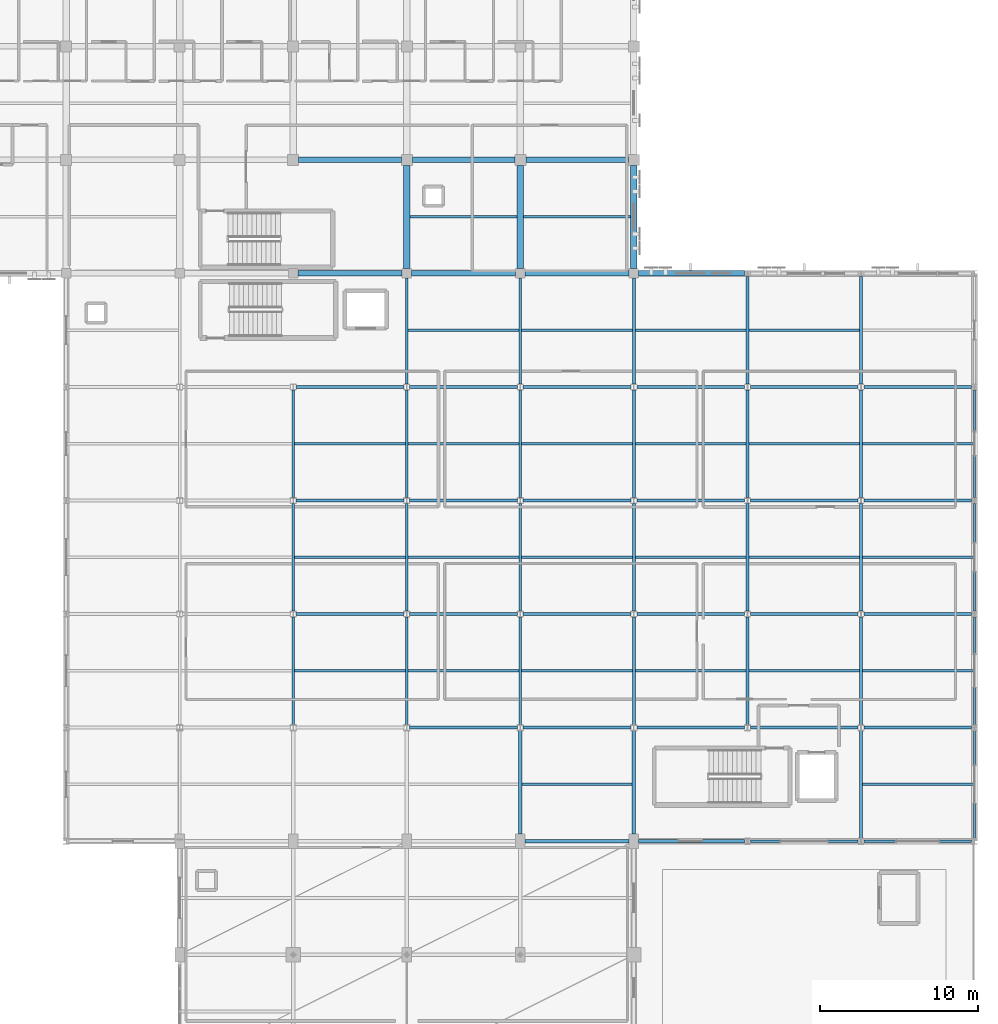
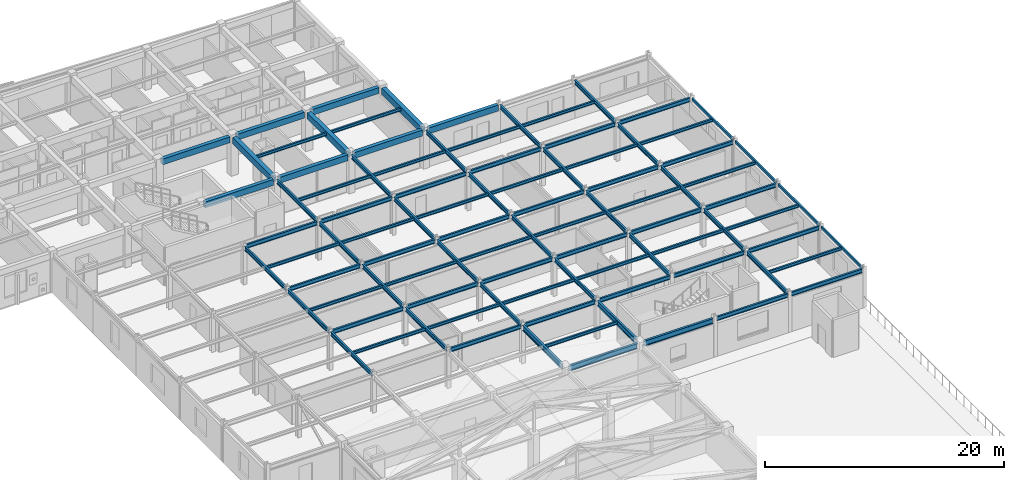
# One storey, part 58 of 113: 93 beams.
"""IFC4 building model written with IfcOpenShell, lengths in metres."""

from ifc_helpers import new_model, si_unit, direction, frame, origin, origin_2d, place, context, subcontext, project, spatial, rectangle, hollow_rectangle, i_section, extrude, material, material_profile, profile_set, type_object, element, save


model = new_model("IFC4")

# Units and contexts
model_context = context("Model", 3, precision=1e-05, world=origin(), true_north=direction((0.0, 1.0)))
body_context = subcontext(model_context, "Body", "Model", "MODEL_VIEW")
ifc_project = project(units=[si_unit("LENGTHUNIT", "METRE"), si_unit("AREAUNIT", "SQUARE_METRE"), si_unit("VOLUMEUNIT", "CUBIC_METRE"), si_unit("PLANEANGLEUNIT", "RADIAN"), si_unit("MASSUNIT", "GRAM", prefix="KILO")], contexts=[model_context])

# Site, building, storey
site_placement = place(None, origin())
site = spatial("IfcSite", under=ifc_project, at=site_placement, CompositionType="ELEMENT")
building_placement = place(site_placement, origin())
building = spatial("IfcBuilding", under=site, at=building_placement, Name="Carrowvane Square Congress Hotel", CompositionType="ELEMENT")
storey_placement = place(building_placement, frame((0.0, 0.0, 15.0)))
storey = spatial("IfcBuildingStorey", under=building, at=storey_placement, Name="L03", CompositionType="ELEMENT", Elevation=15.0)

# Beams
ifc_material_1 = material(Name="Concrete C35/45", Category="concrete")
ifc_material_profile_1 = material_profile(ifc_material_1, rectangle(XDim=0.35009765625, YDim=0.60009765625, at=origin_2d()), Name="RC 350x600")
ifc_profile_set_1 = profile_set([ifc_material_profile_1], Name="Concrete C35/45")
beam_type_1 = type_object("IfcBeamType", Name="BM-RC-350x600", PredefinedType="BEAM", material=ifc_profile_set_1)
for number, where, z_axis, x_axis, name in (
    (1, (141.5, 91.800048828125, 3.639892578125), (1.0, 0.0, 0.0), (0.0, 1.0, 0.0), "L04 girder N/19-20"),
    (2, (148.699951171875, 91.800048828125, 3.639892578125), (1.0, 0.0, 0.0), (0.0, 1.0, 0.0), "L04 girder N/20-21"),
    (3, (155.89990234375, 91.800048828125, 3.639892578125), (1.0, 0.0, 0.0), (0.0, 1.0, 0.0), "L04 girder N/21-22"),
):
    element("IfcBeam", number, at=place(storey_placement, frame(where, z_axis=z_axis, x_axis=x_axis)), inside=storey, type_object=beam_type_1, Name=name, PredefinedType="BEAM", context=body_context, shape_type="SweptSolid", body=[
        extrude(rectangle(XDim=0.35009765625, YDim=0.60009765625, at=origin_2d()), origin(), (0.0, 0.0, 1.0), 6.60009765625),
    ])
beam_1_placement = place(storey_placement, frame((163.10009765625, 91.800048828125, 3.639892578125), z_axis=(1.0, 0.0, 0.0), x_axis=(0.0, 1.0, 0.0)))
element("IfcBeam", 4, at=beam_1_placement, inside=storey, type_object=beam_type_1, Name="L04 girder N/22-23", PredefinedType="BEAM", context=body_context, shape_type="SweptSolid", body=[
    extrude(rectangle(XDim=0.35009765625, YDim=0.60009765625, at=origin_2d()), origin(), (0.0, 0.0, 1.0), 6.714599609375),
])
for number, where, z_axis, x_axis, name in (
    (5, (141.550048828125, 99.0, 3.639892578125), (1.0, 0.0, 0.0), (0.0, 1.0, 0.0), "L04 girder P/19-20"),
    (6, (148.75, 99.0, 3.639892578125), (1.0, 0.0, 0.0), (0.0, 1.0, 0.0), "L04 girder P/20-21"),
    (7, (155.949951171875, 99.0, 3.639892578125), (1.0, 0.0, 0.0), (0.0, 1.0, 0.0), "L04 girder P/21-22"),
):
    element("IfcBeam", number, at=place(storey_placement, frame(where, z_axis=z_axis, x_axis=x_axis)), inside=storey, type_object=beam_type_1, Name=name, PredefinedType="BEAM", context=body_context, shape_type="SweptSolid", body=[
        extrude(rectangle(XDim=0.35009765625, YDim=0.60009765625, at=origin_2d()), origin(), (0.0, 0.0, 1.0), 6.5),
    ])
ifc_material_2 = material(Name="Concrete C35/45", Category="concrete")
ifc_material_profile_2 = material_profile(ifc_material_2, rectangle(XDim=0.39990234375, YDim=0.64990234375, at=origin_2d()), Name="RC 400x650")
ifc_profile_set_2 = profile_set([ifc_material_profile_2], Name="Concrete C35/45")
beam_type_2 = type_object("IfcBeamType", Name="BM-RC-400x650", PredefinedType="BEAM", material=ifc_profile_set_2)
for number, where, z_axis, x_axis, name in (
    (8, (148.39990234375, 92.10009765625, 3.614990234375), (0.0, 1.0, 0.0), (-1.0, 0.0, 0.0), "L04 girder 20/N-P"),
    (9, (155.60009765625, 92.10009765625, 3.614990234375), (0.0, 1.0, 0.0), (-1.0, 0.0, 0.0), "L04 girder 21/N-P"),
    (10, (162.800048828125, 92.10009765625, 3.614990234375), (0.0, 1.0, 0.0), (-1.0, 0.0, 0.0), "L04 girder 22/N-P"),
):
    element("IfcBeam", number, at=place(storey_placement, frame(where, z_axis=z_axis, x_axis=x_axis)), inside=storey, type_object=beam_type_2, Name=name, PredefinedType="BEAM", context=body_context, shape_type="SweptSolid", body=[
        extrude(rectangle(XDim=0.39990234375, YDim=0.64990234375, at=origin_2d()), origin(), (0.0, 0.0, 1.0), 6.5498046875),
    ])
ifc_material_3 = material(Name="Steel S355", Category="steel")
ifc_material_profile_3 = material_profile(ifc_material_3, hollow_rectangle(XDim=0.14990234375, YDim=0.25, WallThickness=0.012451171875, at=origin_2d()), Name="RHS 250x150x12.5")
ifc_profile_set_3 = profile_set([ifc_material_profile_3], Name="Steel S355")
beam_type_3 = type_object("IfcBeamType", Name="BM-ST-RHS250", PredefinedType="SPANDREL", material=ifc_profile_set_3)
for number, where, z_axis, x_axis, name in (
    (11, (184.39990234375, 55.98095703125, 3.81494140625), (0.0, 1.0, 0.0), (-1.0, 0.0, 0.0), "L04 girder 25/H-J"),
    (12, (184.39990234375, 63.180908203125, 3.81494140625), (0.0, 1.0, 0.0), (-1.0, 0.0, 0.0), "L04 girder 25/J-K"),
):
    element("IfcBeam", number, at=place(storey_placement, frame(where, z_axis=z_axis, x_axis=x_axis)), inside=storey, type_object=beam_type_3, Name=name, PredefinedType="SPANDREL", context=body_context, shape_type="SweptSolid", body=[
        extrude(hollow_rectangle(XDim=0.14990234375, YDim=0.25, WallThickness=0.012451171875, at=origin_2d()), origin(), (0.0, 0.0, 1.0), 6.838134765625),
    ])
for number, where, z_axis, x_axis, name in (
    (13, (184.39990234375, 70.381103515625, 3.81494140625), (0.0, 1.0, 0.0), (-1.0, 0.0, 0.0), "L04 girder 25/K-L"),
    (14, (184.39990234375, 77.5810546875, 3.81494140625), (0.0, 1.0, 0.0), (-1.0, 0.0, 0.0), "L04 girder 25/L-M"),
):
    element("IfcBeam", number, at=place(storey_placement, frame(where, z_axis=z_axis, x_axis=x_axis)), inside=storey, type_object=beam_type_3, Name=name, PredefinedType="SPANDREL", context=body_context, shape_type="SweptSolid", body=[
        extrude(hollow_rectangle(XDim=0.14990234375, YDim=0.25, WallThickness=0.012451171875, at=origin_2d()), origin(), (0.0, 0.0, 1.0), 6.837890625),
    ])
ifc_material_4 = material(Name="Steel S355", Category="steel")
ifc_material_profile_4 = material_profile(ifc_material_4, i_section(OverallWidth=0.165771484375, OverallDepth=0.306640625, WebThickness=0.006591796875, FlangeThickness=0.01171875, FilletRadius=0.0087890625, at=origin_2d()), Name="UKB 305x165x46")
ifc_profile_set_4 = profile_set([ifc_material_profile_4], Name="Steel S355")
beam_type_4 = type_object("IfcBeamType", Name="BM-ST-UKB305", PredefinedType="JOIST", material=ifc_profile_set_4)
for number, where, z_axis, x_axis, name in (
    (15, (141.289306640625, 66.60009765625, 3.78662109375), (1.0, 0.0, 0.0), (0.0, 1.0, 0.0), "L04 secondary joist 19-20"),
    (16, (141.289306640625, 73.800048828125, 3.78662109375), (1.0, 0.0, 0.0), (0.0, 1.0, 0.0), "L04 secondary joist 19-20"),
    (17, (141.289306640625, 81.0, 3.78662109375), (1.0, 0.0, 0.0), (0.0, 1.0, 0.0), "L04 secondary joist 19-20"),
):
    element("IfcBeam", number, at=place(storey_placement, frame(where, z_axis=z_axis, x_axis=x_axis)), inside=storey, type_object=beam_type_4, Name=name, PredefinedType="JOIST", context=body_context, shape_type="SweptSolid", body=[
        extrude(i_section(OverallWidth=0.165771484375, OverallDepth=0.306640625, WebThickness=0.006591796875, FlangeThickness=0.01171875, FilletRadius=0.0087890625, at=origin_2d()), origin(), (0.0, 0.0, 1.0), 7.021240234375),
    ])
for number, where, z_axis, x_axis, name in (
    (18, (148.489501953125, 66.60009765625, 3.78662109375), (1.0, 0.0, 0.0), (0.0, 1.0, 0.0), "L04 secondary joist 20-21"),
    (19, (148.489501953125, 73.800048828125, 3.78662109375), (1.0, 0.0, 0.0), (0.0, 1.0, 0.0), "L04 secondary joist 20-21"),
    (20, (148.489501953125, 81.0, 3.78662109375), (1.0, 0.0, 0.0), (0.0, 1.0, 0.0), "L04 secondary joist 20-21"),
    (21, (148.489501953125, 88.199951171875, 3.78662109375), (1.0, 0.0, 0.0), (0.0, 1.0, 0.0), "L04 secondary joist 20-21"),
):
    element("IfcBeam", number, at=place(storey_placement, frame(where, z_axis=z_axis, x_axis=x_axis)), inside=storey, type_object=beam_type_4, Name=name, PredefinedType="JOIST", context=body_context, shape_type="SweptSolid", body=[
        extrude(i_section(OverallWidth=0.165771484375, OverallDepth=0.306640625, WebThickness=0.006591796875, FlangeThickness=0.01171875, FilletRadius=0.0087890625, at=origin_2d()), origin(), (0.0, 0.0, 1.0), 7.02099609375),
    ])
beam_2_placement = place(storey_placement, frame((148.60009765625, 95.39990234375, 3.78662109375), z_axis=(1.0, 0.0, 0.0), x_axis=(0.0, 1.0, 0.0)))
element("IfcBeam", 22, at=beam_2_placement, inside=storey, type_object=beam_type_4, Name="L04 secondary joist 20-21", PredefinedType="JOIST", context=body_context, shape_type="SweptSolid", body=[
    extrude(i_section(OverallWidth=0.165771484375, OverallDepth=0.306640625, WebThickness=0.006591796875, FlangeThickness=0.01171875, FilletRadius=0.0087890625, at=origin_2d()), origin(), (0.0, 0.0, 1.0), 6.7998046875),
])
beam_3_placement = place(storey_placement, frame((155.705078125, 59.39990234375, 3.78662109375), z_axis=(1.0, 0.0, 0.0), x_axis=(0.0, 1.0, 0.0)))
element("IfcBeam", 23, at=beam_3_placement, inside=storey, type_object=beam_type_4, Name="L04 secondary joist 21-22", PredefinedType="JOIST", context=body_context, shape_type="SweptSolid", body=[
    extrude(i_section(OverallWidth=0.165771484375, OverallDepth=0.306640625, WebThickness=0.006591796875, FlangeThickness=0.01171875, FilletRadius=0.0087890625, at=origin_2d()), origin(), (0.0, 0.0, 1.0), 6.989990234375),
])
for number, where, z_axis, x_axis, name in (
    (24, (155.689453125, 66.60009765625, 3.78662109375), (1.0, 0.0, 0.0), (0.0, 1.0, 0.0), "L04 secondary joist 21-22"),
    (25, (155.689453125, 73.800048828125, 3.78662109375), (1.0, 0.0, 0.0), (0.0, 1.0, 0.0), "L04 secondary joist 21-22"),
    (26, (155.689453125, 81.0, 3.78662109375), (1.0, 0.0, 0.0), (0.0, 1.0, 0.0), "L04 secondary joist 21-22"),
    (27, (155.689453125, 88.199951171875, 3.78662109375), (1.0, 0.0, 0.0), (0.0, 1.0, 0.0), "L04 secondary joist 21-22"),
):
    element("IfcBeam", number, at=place(storey_placement, frame(where, z_axis=z_axis, x_axis=x_axis)), inside=storey, type_object=beam_type_4, Name=name, PredefinedType="JOIST", context=body_context, shape_type="SweptSolid", body=[
        extrude(i_section(OverallWidth=0.165771484375, OverallDepth=0.306640625, WebThickness=0.006591796875, FlangeThickness=0.01171875, FilletRadius=0.0087890625, at=origin_2d()), origin(), (0.0, 0.0, 1.0), 7.021240234375),
    ])
beam_4_placement = place(storey_placement, frame((155.800048828125, 95.39990234375, 3.78662109375), z_axis=(1.0, 0.0, 0.0), x_axis=(0.0, 1.0, 0.0)))
element("IfcBeam", 28, at=beam_4_placement, inside=storey, type_object=beam_type_4, Name="L04 secondary joist 21-22", PredefinedType="JOIST", context=body_context, shape_type="SweptSolid", body=[
    extrude(i_section(OverallWidth=0.165771484375, OverallDepth=0.306640625, WebThickness=0.006591796875, FlangeThickness=0.01171875, FilletRadius=0.0087890625, at=origin_2d()), origin(), (0.0, 0.0, 1.0), 6.800048828125),
])
for number, where, z_axis, x_axis, name in (
    (29, (162.889404296875, 66.60009765625, 3.78662109375), (1.0, 0.0, 0.0), (0.0, 1.0, 0.0), "L04 secondary joist 22-23"),
    (30, (162.889404296875, 73.800048828125, 3.78662109375), (1.0, 0.0, 0.0), (0.0, 1.0, 0.0), "L04 secondary joist 22-23"),
    (31, (162.889404296875, 81.0, 3.78662109375), (1.0, 0.0, 0.0), (0.0, 1.0, 0.0), "L04 secondary joist 22-23"),
    (32, (162.889404296875, 88.199951171875, 3.78662109375), (1.0, 0.0, 0.0), (0.0, 1.0, 0.0), "L04 secondary joist 22-23"),
    (33, (170.08935546875, 66.60009765625, 3.78662109375), (1.0, 0.0, 0.0), (0.0, 1.0, 0.0), "L04 secondary joist 23-24"),
    (34, (170.08935546875, 73.800048828125, 3.78662109375), (1.0, 0.0, 0.0), (0.0, 1.0, 0.0), "L04 secondary joist 23-24"),
    (35, (170.08935546875, 81.0, 3.78662109375), (1.0, 0.0, 0.0), (0.0, 1.0, 0.0), "L04 secondary joist 23-24"),
    (36, (170.08935546875, 88.199951171875, 3.78662109375), (1.0, 0.0, 0.0), (0.0, 1.0, 0.0), "L04 secondary joist 23-24"),
):
    element("IfcBeam", number, at=place(storey_placement, frame(where, z_axis=z_axis, x_axis=x_axis)), inside=storey, type_object=beam_type_4, Name=name, PredefinedType="JOIST", context=body_context, shape_type="SweptSolid", body=[
        extrude(i_section(OverallWidth=0.165771484375, OverallDepth=0.306640625, WebThickness=0.006591796875, FlangeThickness=0.01171875, FilletRadius=0.0087890625, at=origin_2d()), origin(), (0.0, 0.0, 1.0), 7.021240234375),
    ])
for number, where, z_axis, x_axis, name in (
    (37, (177.289306640625, 59.39990234375, 3.78662109375), (1.0, 0.0, 0.0), (0.0, 1.0, 0.0), "L04 secondary joist 24-25"),
    (38, (177.289306640625, 66.60009765625, 3.78662109375), (1.0, 0.0, 0.0), (0.0, 1.0, 0.0), "L04 secondary joist 24-25"),
    (39, (177.289306640625, 73.800048828125, 3.78662109375), (1.0, 0.0, 0.0), (0.0, 1.0, 0.0), "L04 secondary joist 24-25"),
    (40, (177.289306640625, 81.0, 3.78662109375), (1.0, 0.0, 0.0), (0.0, 1.0, 0.0), "L04 secondary joist 24-25"),
):
    element("IfcBeam", number, at=place(storey_placement, frame(where, z_axis=z_axis, x_axis=x_axis)), inside=storey, type_object=beam_type_4, Name=name, PredefinedType="JOIST", context=body_context, shape_type="SweptSolid", body=[
        extrude(i_section(OverallWidth=0.165771484375, OverallDepth=0.306640625, WebThickness=0.006591796875, FlangeThickness=0.01171875, FilletRadius=0.0087890625, at=origin_2d()), origin(), (0.0, 0.0, 1.0), 7.03564453125),
    ])
ifc_material_5 = material(Name="Steel S355", Category="steel")
ifc_material_profile_5 = material_profile(ifc_material_5, i_section(OverallWidth=0.1787109375, OverallDepth=0.409423828125, WebThickness=0.0087890625, FlangeThickness=0.014404296875, FilletRadius=0.01025390625, at=origin_2d()), Name="UKB 406x178x67")
ifc_profile_set_5 = profile_set([ifc_material_profile_5], Name="Steel S355")
beam_type_5 = type_object("IfcBeamType", Name="BM-ST-UKB406", PredefinedType="BEAM", material=ifc_profile_set_5)
beam_5_placement = place(storey_placement, frame((170.185302734375, 55.800048828125, 3.7353515625), z_axis=(1.0, 0.0, 0.0), x_axis=(0.0, 1.0, 0.0)))
element("IfcBeam", 41, at=beam_5_placement, inside=storey, type_object=beam_type_5, Name="L04 girder H/23-24", PredefinedType="BEAM", context=body_context, shape_type="SweptSolid", body=[
    extrude(i_section(OverallWidth=0.1787109375, OverallDepth=0.409423828125, WebThickness=0.0087890625, FlangeThickness=0.014404296875, FilletRadius=0.01025390625, at=origin_2d()), origin(), (0.0, 0.0, 1.0), 6.829345703125),
])
for number, where, z_axis, x_axis, name in (
    (42, (177.38525390625, 55.800048828125, 3.7353515625), (1.0, 0.0, 0.0), (0.0, 1.0, 0.0), "L04 girder H/24-25"),
    (43, (148.585205078125, 63.0, 3.7353515625), (1.0, 0.0, 0.0), (0.0, 1.0, 0.0), "L04 girder J/20-21"),
    (44, (155.78515625, 63.0, 3.7353515625), (1.0, 0.0, 0.0), (0.0, 1.0, 0.0), "L04 girder J/21-22"),
):
    element("IfcBeam", number, at=place(storey_placement, frame(where, z_axis=z_axis, x_axis=x_axis)), inside=storey, type_object=beam_type_5, Name=name, PredefinedType="BEAM", context=body_context, shape_type="SweptSolid", body=[
        extrude(i_section(OverallWidth=0.1787109375, OverallDepth=0.409423828125, WebThickness=0.0087890625, FlangeThickness=0.014404296875, FilletRadius=0.01025390625, at=origin_2d()), origin(), (0.0, 0.0, 1.0), 6.82958984375),
    ])
for number, where, z_axis, x_axis, name in (
    (45, (162.9853515625, 63.0, 3.7353515625), (1.0, 0.0, 0.0), (0.0, 1.0, 0.0), "L04 girder J/22-23"),
    (46, (170.185302734375, 63.0, 3.7353515625), (1.0, 0.0, 0.0), (0.0, 1.0, 0.0), "L04 girder J/23-24"),
):
    element("IfcBeam", number, at=place(storey_placement, frame(where, z_axis=z_axis, x_axis=x_axis)), inside=storey, type_object=beam_type_5, Name=name, PredefinedType="BEAM", context=body_context, shape_type="SweptSolid", body=[
        extrude(i_section(OverallWidth=0.1787109375, OverallDepth=0.409423828125, WebThickness=0.0087890625, FlangeThickness=0.014404296875, FilletRadius=0.01025390625, at=origin_2d()), origin(), (0.0, 0.0, 1.0), 6.829345703125),
    ])
for number, where, z_axis, x_axis, name in (
    (47, (177.38525390625, 63.0, 3.7353515625), (1.0, 0.0, 0.0), (0.0, 1.0, 0.0), "L04 girder J/24-25"),
    (48, (141.38525390625, 70.199951171875, 3.7353515625), (1.0, 0.0, 0.0), (0.0, 1.0, 0.0), "L04 girder K/19-20"),
    (49, (148.585205078125, 70.199951171875, 3.7353515625), (1.0, 0.0, 0.0), (0.0, 1.0, 0.0), "L04 girder K/20-21"),
    (50, (155.78515625, 70.199951171875, 3.7353515625), (1.0, 0.0, 0.0), (0.0, 1.0, 0.0), "L04 girder K/21-22"),
):
    element("IfcBeam", number, at=place(storey_placement, frame(where, z_axis=z_axis, x_axis=x_axis)), inside=storey, type_object=beam_type_5, Name=name, PredefinedType="BEAM", context=body_context, shape_type="SweptSolid", body=[
        extrude(i_section(OverallWidth=0.1787109375, OverallDepth=0.409423828125, WebThickness=0.0087890625, FlangeThickness=0.014404296875, FilletRadius=0.01025390625, at=origin_2d()), origin(), (0.0, 0.0, 1.0), 6.82958984375),
    ])
for number, where, z_axis, x_axis, name in (
    (51, (162.9853515625, 70.199951171875, 3.7353515625), (1.0, 0.0, 0.0), (0.0, 1.0, 0.0), "L04 girder K/22-23"),
    (52, (170.185302734375, 70.199951171875, 3.7353515625), (1.0, 0.0, 0.0), (0.0, 1.0, 0.0), "L04 girder K/23-24"),
):
    element("IfcBeam", number, at=place(storey_placement, frame(where, z_axis=z_axis, x_axis=x_axis)), inside=storey, type_object=beam_type_5, Name=name, PredefinedType="BEAM", context=body_context, shape_type="SweptSolid", body=[
        extrude(i_section(OverallWidth=0.1787109375, OverallDepth=0.409423828125, WebThickness=0.0087890625, FlangeThickness=0.014404296875, FilletRadius=0.01025390625, at=origin_2d()), origin(), (0.0, 0.0, 1.0), 6.829345703125),
    ])
for number, where, z_axis, x_axis, name in (
    (53, (177.38525390625, 70.199951171875, 3.7353515625), (1.0, 0.0, 0.0), (0.0, 1.0, 0.0), "L04 girder K/24-25"),
    (54, (141.38525390625, 77.39990234375, 3.7353515625), (1.0, 0.0, 0.0), (0.0, 1.0, 0.0), "L04 girder L/19-20"),
    (55, (148.585205078125, 77.39990234375, 3.7353515625), (1.0, 0.0, 0.0), (0.0, 1.0, 0.0), "L04 girder L/20-21"),
    (56, (155.78515625, 77.39990234375, 3.7353515625), (1.0, 0.0, 0.0), (0.0, 1.0, 0.0), "L04 girder L/21-22"),
):
    element("IfcBeam", number, at=place(storey_placement, frame(where, z_axis=z_axis, x_axis=x_axis)), inside=storey, type_object=beam_type_5, Name=name, PredefinedType="BEAM", context=body_context, shape_type="SweptSolid", body=[
        extrude(i_section(OverallWidth=0.1787109375, OverallDepth=0.409423828125, WebThickness=0.0087890625, FlangeThickness=0.014404296875, FilletRadius=0.01025390625, at=origin_2d()), origin(), (0.0, 0.0, 1.0), 6.82958984375),
    ])
for number, where, z_axis, x_axis, name in (
    (57, (162.9853515625, 77.39990234375, 3.7353515625), (1.0, 0.0, 0.0), (0.0, 1.0, 0.0), "L04 girder L/22-23"),
    (58, (170.185302734375, 77.39990234375, 3.7353515625), (1.0, 0.0, 0.0), (0.0, 1.0, 0.0), "L04 girder L/23-24"),
):
    element("IfcBeam", number, at=place(storey_placement, frame(where, z_axis=z_axis, x_axis=x_axis)), inside=storey, type_object=beam_type_5, Name=name, PredefinedType="BEAM", context=body_context, shape_type="SweptSolid", body=[
        extrude(i_section(OverallWidth=0.1787109375, OverallDepth=0.409423828125, WebThickness=0.0087890625, FlangeThickness=0.014404296875, FilletRadius=0.01025390625, at=origin_2d()), origin(), (0.0, 0.0, 1.0), 6.829345703125),
    ])
for number, where, z_axis, x_axis, name in (
    (59, (177.38525390625, 77.39990234375, 3.7353515625), (1.0, 0.0, 0.0), (0.0, 1.0, 0.0), "L04 girder L/24-25"),
    (60, (141.38525390625, 84.60009765625, 3.7353515625), (1.0, 0.0, 0.0), (0.0, 1.0, 0.0), "L04 girder M/19-20"),
    (61, (148.585205078125, 84.60009765625, 3.7353515625), (1.0, 0.0, 0.0), (0.0, 1.0, 0.0), "L04 girder M/20-21"),
    (62, (155.78515625, 84.60009765625, 3.7353515625), (1.0, 0.0, 0.0), (0.0, 1.0, 0.0), "L04 girder M/21-22"),
):
    element("IfcBeam", number, at=place(storey_placement, frame(where, z_axis=z_axis, x_axis=x_axis)), inside=storey, type_object=beam_type_5, Name=name, PredefinedType="BEAM", context=body_context, shape_type="SweptSolid", body=[
        extrude(i_section(OverallWidth=0.1787109375, OverallDepth=0.409423828125, WebThickness=0.0087890625, FlangeThickness=0.014404296875, FilletRadius=0.01025390625, at=origin_2d()), origin(), (0.0, 0.0, 1.0), 6.82958984375),
    ])
for number, where, z_axis, x_axis, name in (
    (63, (162.9853515625, 84.60009765625, 3.7353515625), (1.0, 0.0, 0.0), (0.0, 1.0, 0.0), "L04 girder M/22-23"),
    (64, (170.185302734375, 84.60009765625, 3.7353515625), (1.0, 0.0, 0.0), (0.0, 1.0, 0.0), "L04 girder M/23-24"),
):
    element("IfcBeam", number, at=place(storey_placement, frame(where, z_axis=z_axis, x_axis=x_axis)), inside=storey, type_object=beam_type_5, Name=name, PredefinedType="BEAM", context=body_context, shape_type="SweptSolid", body=[
        extrude(i_section(OverallWidth=0.1787109375, OverallDepth=0.409423828125, WebThickness=0.0087890625, FlangeThickness=0.014404296875, FilletRadius=0.01025390625, at=origin_2d()), origin(), (0.0, 0.0, 1.0), 6.829345703125),
    ])
beam_6_placement = place(storey_placement, frame((177.38525390625, 84.60009765625, 3.7353515625), z_axis=(1.0, 0.0, 0.0), x_axis=(0.0, 1.0, 0.0)))
element("IfcBeam", 65, at=beam_6_placement, inside=storey, type_object=beam_type_5, Name="L04 girder M/24-25", PredefinedType="BEAM", context=body_context, shape_type="SweptSolid", body=[
    extrude(i_section(OverallWidth=0.1787109375, OverallDepth=0.409423828125, WebThickness=0.0087890625, FlangeThickness=0.014404296875, FilletRadius=0.01025390625, at=origin_2d()), origin(), (0.0, 0.0, 1.0), 6.82958984375),
])
beam_7_placement = place(storey_placement, frame((141.199951171875, 63.180908203125, 3.7353515625), z_axis=(0.0, 1.0, 0.0), x_axis=(-1.0, 0.0, 0.0)))
element("IfcBeam", 66, at=beam_7_placement, inside=storey, type_object=beam_type_5, Name="L04 girder 19/J-K", PredefinedType="BEAM", context=body_context, shape_type="SweptSolid", body=[
    extrude(i_section(OverallWidth=0.1787109375, OverallDepth=0.409423828125, WebThickness=0.0087890625, FlangeThickness=0.014404296875, FilletRadius=0.01025390625, at=origin_2d()), origin(), (0.0, 0.0, 1.0), 6.838134765625),
])
for number, where, z_axis, x_axis, name in (
    (67, (141.199951171875, 70.381103515625, 3.7353515625), (0.0, 1.0, 0.0), (-1.0, 0.0, 0.0), "L04 girder 19/K-L"),
    (68, (141.199951171875, 77.5810546875, 3.7353515625), (0.0, 1.0, 0.0), (-1.0, 0.0, 0.0), "L04 girder 19/L-M"),
):
    element("IfcBeam", number, at=place(storey_placement, frame(where, z_axis=z_axis, x_axis=x_axis)), inside=storey, type_object=beam_type_5, Name=name, PredefinedType="BEAM", context=body_context, shape_type="SweptSolid", body=[
        extrude(i_section(OverallWidth=0.1787109375, OverallDepth=0.409423828125, WebThickness=0.0087890625, FlangeThickness=0.014404296875, FilletRadius=0.01025390625, at=origin_2d()), origin(), (0.0, 0.0, 1.0), 6.837890625),
    ])
beam_8_placement = place(storey_placement, frame((148.39990234375, 63.180908203125, 3.7353515625), z_axis=(0.0, 1.0, 0.0), x_axis=(-1.0, 0.0, 0.0)))
element("IfcBeam", 69, at=beam_8_placement, inside=storey, type_object=beam_type_5, Name="L04 girder 20/J-K", PredefinedType="BEAM", context=body_context, shape_type="SweptSolid", body=[
    extrude(i_section(OverallWidth=0.1787109375, OverallDepth=0.409423828125, WebThickness=0.0087890625, FlangeThickness=0.014404296875, FilletRadius=0.01025390625, at=origin_2d()), origin(), (0.0, 0.0, 1.0), 6.838134765625),
])
for number, where, z_axis, x_axis, name in (
    (70, (148.39990234375, 70.381103515625, 3.7353515625), (0.0, 1.0, 0.0), (-1.0, 0.0, 0.0), "L04 girder 20/K-L"),
    (71, (148.39990234375, 77.5810546875, 3.7353515625), (0.0, 1.0, 0.0), (-1.0, 0.0, 0.0), "L04 girder 20/L-M"),
):
    element("IfcBeam", number, at=place(storey_placement, frame(where, z_axis=z_axis, x_axis=x_axis)), inside=storey, type_object=beam_type_5, Name=name, PredefinedType="BEAM", context=body_context, shape_type="SweptSolid", body=[
        extrude(i_section(OverallWidth=0.1787109375, OverallDepth=0.409423828125, WebThickness=0.0087890625, FlangeThickness=0.014404296875, FilletRadius=0.01025390625, at=origin_2d()), origin(), (0.0, 0.0, 1.0), 6.837890625),
    ])
beam_9_placement = place(storey_placement, frame((148.39990234375, 84.781005859375, 3.7353515625), z_axis=(0.0, 1.0, 0.0), x_axis=(-1.0, 0.0, 0.0)))
element("IfcBeam", 72, at=beam_9_placement, inside=storey, type_object=beam_type_5, Name="L04 girder 20/M-N", PredefinedType="BEAM", context=body_context, shape_type="SweptSolid", body=[
    extrude(i_section(OverallWidth=0.1787109375, OverallDepth=0.409423828125, WebThickness=0.0087890625, FlangeThickness=0.014404296875, FilletRadius=0.01025390625, at=origin_2d()), origin(), (0.0, 0.0, 1.0), 6.718994140625),
])
beam_10_placement = place(storey_placement, frame((155.60009765625, 63.180908203125, 3.7353515625), z_axis=(0.0, 1.0, 0.0), x_axis=(-1.0, 0.0, 0.0)))
element("IfcBeam", 73, at=beam_10_placement, inside=storey, type_object=beam_type_5, Name="L04 girder 21/J-K", PredefinedType="BEAM", context=body_context, shape_type="SweptSolid", body=[
    extrude(i_section(OverallWidth=0.1787109375, OverallDepth=0.409423828125, WebThickness=0.0087890625, FlangeThickness=0.014404296875, FilletRadius=0.01025390625, at=origin_2d()), origin(), (0.0, 0.0, 1.0), 6.838134765625),
])
for number, where, z_axis, x_axis, name in (
    (74, (155.60009765625, 70.381103515625, 3.7353515625), (0.0, 1.0, 0.0), (-1.0, 0.0, 0.0), "L04 girder 21/K-L"),
    (75, (155.60009765625, 77.5810546875, 3.7353515625), (0.0, 1.0, 0.0), (-1.0, 0.0, 0.0), "L04 girder 21/L-M"),
):
    element("IfcBeam", number, at=place(storey_placement, frame(where, z_axis=z_axis, x_axis=x_axis)), inside=storey, type_object=beam_type_5, Name=name, PredefinedType="BEAM", context=body_context, shape_type="SweptSolid", body=[
        extrude(i_section(OverallWidth=0.1787109375, OverallDepth=0.409423828125, WebThickness=0.0087890625, FlangeThickness=0.014404296875, FilletRadius=0.01025390625, at=origin_2d()), origin(), (0.0, 0.0, 1.0), 6.837890625),
    ])
beam_11_placement = place(storey_placement, frame((155.60009765625, 84.781005859375, 3.7353515625), z_axis=(0.0, 1.0, 0.0), x_axis=(-1.0, 0.0, 0.0)))
element("IfcBeam", 76, at=beam_11_placement, inside=storey, type_object=beam_type_5, Name="L04 girder 21/M-N", PredefinedType="BEAM", context=body_context, shape_type="SweptSolid", body=[
    extrude(i_section(OverallWidth=0.1787109375, OverallDepth=0.409423828125, WebThickness=0.0087890625, FlangeThickness=0.014404296875, FilletRadius=0.01025390625, at=origin_2d()), origin(), (0.0, 0.0, 1.0), 6.718994140625),
])
beam_12_placement = place(storey_placement, frame((162.800048828125, 63.180908203125, 3.7353515625), z_axis=(0.0, 1.0, 0.0), x_axis=(-1.0, 0.0, 0.0)))
element("IfcBeam", 77, at=beam_12_placement, inside=storey, type_object=beam_type_5, Name="L04 girder 22/J-K", PredefinedType="BEAM", context=body_context, shape_type="SweptSolid", body=[
    extrude(i_section(OverallWidth=0.1787109375, OverallDepth=0.409423828125, WebThickness=0.0087890625, FlangeThickness=0.014404296875, FilletRadius=0.01025390625, at=origin_2d()), origin(), (0.0, 0.0, 1.0), 6.838134765625),
])
for number, where, z_axis, x_axis, name in (
    (78, (162.800048828125, 70.381103515625, 3.7353515625), (0.0, 1.0, 0.0), (-1.0, 0.0, 0.0), "L04 girder 22/K-L"),
    (79, (162.800048828125, 77.5810546875, 3.7353515625), (0.0, 1.0, 0.0), (-1.0, 0.0, 0.0), "L04 girder 22/L-M"),
):
    element("IfcBeam", number, at=place(storey_placement, frame(where, z_axis=z_axis, x_axis=x_axis)), inside=storey, type_object=beam_type_5, Name=name, PredefinedType="BEAM", context=body_context, shape_type="SweptSolid", body=[
        extrude(i_section(OverallWidth=0.1787109375, OverallDepth=0.409423828125, WebThickness=0.0087890625, FlangeThickness=0.014404296875, FilletRadius=0.01025390625, at=origin_2d()), origin(), (0.0, 0.0, 1.0), 6.837890625),
    ])
beam_13_placement = place(storey_placement, frame((162.800048828125, 84.781005859375, 3.7353515625), z_axis=(0.0, 1.0, 0.0), x_axis=(-1.0, 0.0, 0.0)))
element("IfcBeam", 80, at=beam_13_placement, inside=storey, type_object=beam_type_5, Name="L04 girder 22/M-N", PredefinedType="BEAM", context=body_context, shape_type="SweptSolid", body=[
    extrude(i_section(OverallWidth=0.1787109375, OverallDepth=0.409423828125, WebThickness=0.0087890625, FlangeThickness=0.014404296875, FilletRadius=0.01025390625, at=origin_2d()), origin(), (0.0, 0.0, 1.0), 6.718994140625),
])
beam_14_placement = place(storey_placement, frame((170.0, 63.180908203125, 3.7353515625), z_axis=(0.0, 1.0, 0.0), x_axis=(-1.0, 0.0, 0.0)))
element("IfcBeam", 81, at=beam_14_placement, inside=storey, type_object=beam_type_5, Name="L04 girder 23/J-K", PredefinedType="BEAM", context=body_context, shape_type="SweptSolid", body=[
    extrude(i_section(OverallWidth=0.1787109375, OverallDepth=0.409423828125, WebThickness=0.0087890625, FlangeThickness=0.014404296875, FilletRadius=0.01025390625, at=origin_2d()), origin(), (0.0, 0.0, 1.0), 6.838134765625),
])
for number, where, z_axis, x_axis, name in (
    (82, (170.0, 70.381103515625, 3.7353515625), (0.0, 1.0, 0.0), (-1.0, 0.0, 0.0), "L04 girder 23/K-L"),
    (83, (170.0, 77.5810546875, 3.7353515625), (0.0, 1.0, 0.0), (-1.0, 0.0, 0.0), "L04 girder 23/L-M"),
    (84, (170.0, 84.781005859375, 3.7353515625), (0.0, 1.0, 0.0), (-1.0, 0.0, 0.0), "L04 girder 23/M-N"),
):
    element("IfcBeam", number, at=place(storey_placement, frame(where, z_axis=z_axis, x_axis=x_axis)), inside=storey, type_object=beam_type_5, Name=name, PredefinedType="BEAM", context=body_context, shape_type="SweptSolid", body=[
        extrude(i_section(OverallWidth=0.1787109375, OverallDepth=0.409423828125, WebThickness=0.0087890625, FlangeThickness=0.014404296875, FilletRadius=0.01025390625, at=origin_2d()), origin(), (0.0, 0.0, 1.0), 6.837890625),
    ])
for number, where, z_axis, x_axis, name in (
    (85, (177.199951171875, 55.98095703125, 3.7353515625), (0.0, 1.0, 0.0), (-1.0, 0.0, 0.0), "L04 girder 24/H-J"),
    (86, (177.199951171875, 63.180908203125, 3.7353515625), (0.0, 1.0, 0.0), (-1.0, 0.0, 0.0), "L04 girder 24/J-K"),
):
    element("IfcBeam", number, at=place(storey_placement, frame(where, z_axis=z_axis, x_axis=x_axis)), inside=storey, type_object=beam_type_5, Name=name, PredefinedType="BEAM", context=body_context, shape_type="SweptSolid", body=[
        extrude(i_section(OverallWidth=0.1787109375, OverallDepth=0.409423828125, WebThickness=0.0087890625, FlangeThickness=0.014404296875, FilletRadius=0.01025390625, at=origin_2d()), origin(), (0.0, 0.0, 1.0), 6.838134765625),
    ])
for number, where, z_axis, x_axis, name in (
    (87, (177.199951171875, 70.381103515625, 3.7353515625), (0.0, 1.0, 0.0), (-1.0, 0.0, 0.0), "L04 girder 24/K-L"),
    (88, (177.199951171875, 77.5810546875, 3.7353515625), (0.0, 1.0, 0.0), (-1.0, 0.0, 0.0), "L04 girder 24/L-M"),
    (89, (177.199951171875, 84.781005859375, 3.7353515625), (0.0, 1.0, 0.0), (-1.0, 0.0, 0.0), "L04 girder 24/M-N"),
):
    element("IfcBeam", number, at=place(storey_placement, frame(where, z_axis=z_axis, x_axis=x_axis)), inside=storey, type_object=beam_type_5, Name=name, PredefinedType="BEAM", context=body_context, shape_type="SweptSolid", body=[
        extrude(i_section(OverallWidth=0.1787109375, OverallDepth=0.409423828125, WebThickness=0.0087890625, FlangeThickness=0.014404296875, FilletRadius=0.01025390625, at=origin_2d()), origin(), (0.0, 0.0, 1.0), 6.837890625),
    ])
ifc_material_6 = material(Name="Steel S355", Category="steel")
ifc_material_profile_6 = material_profile(ifc_material_6, i_section(OverallWidth=0.2099609375, OverallDepth=0.53662109375, WebThickness=0.0107421875, FlangeThickness=0.017333984375, FilletRadius=0.0126953125, at=origin_2d()), Name="UKB 533x210x101")
ifc_profile_set_6 = profile_set([ifc_material_profile_6], Name="Steel S355")
beam_type_6 = type_object("IfcBeamType", Name="BM-ST-UKB533", PredefinedType="USERDEFINED", material=ifc_profile_set_6)
beam_15_placement = place(storey_placement, frame((155.89990234375, 55.800048828125, 3.671630859375), z_axis=(1.0, 0.0, 0.0), x_axis=(0.0, 1.0, 0.0)))
element("IfcBeam", 90, at=beam_15_placement, inside=storey, type_object=beam_type_6, Name="L04 girder H/21-22", ObjectType="GIRDER", PredefinedType="USERDEFINED", context=body_context, shape_type="SweptSolid", body=[
    extrude(i_section(OverallWidth=0.2099609375, OverallDepth=0.53662109375, WebThickness=0.0107421875, FlangeThickness=0.017333984375, FilletRadius=0.0126953125, at=origin_2d()), origin(), (0.0, 0.0, 1.0), 6.60009765625),
])
beam_16_placement = place(storey_placement, frame((163.10009765625, 55.800048828125, 3.671630859375), z_axis=(1.0, 0.0, 0.0), x_axis=(0.0, 1.0, 0.0)))
element("IfcBeam", 91, at=beam_16_placement, inside=storey, type_object=beam_type_6, Name="L04 girder H/22-23", ObjectType="GIRDER", PredefinedType="USERDEFINED", context=body_context, shape_type="SweptSolid", body=[
    extrude(i_section(OverallWidth=0.2099609375, OverallDepth=0.53662109375, WebThickness=0.0107421875, FlangeThickness=0.017333984375, FilletRadius=0.0126953125, at=origin_2d()), origin(), (0.0, 0.0, 1.0), 6.714599609375),
])
for number, where, z_axis, x_axis, name in (
    (92, (155.60009765625, 56.25, 3.671630859375), (0.0, 1.0, 0.0), (-1.0, 0.0, 0.0), "L04 girder 21/H-J"),
    (93, (162.800048828125, 56.25, 3.671630859375), (0.0, 1.0, 0.0), (-1.0, 0.0, 0.0), "L04 girder 22/H-J"),
):
    element("IfcBeam", number, at=place(storey_placement, frame(where, z_axis=z_axis, x_axis=x_axis)), inside=storey, type_object=beam_type_6, Name=name, ObjectType="GIRDER", PredefinedType="USERDEFINED", context=body_context, shape_type="SweptSolid", body=[
        extrude(i_section(OverallWidth=0.2099609375, OverallDepth=0.53662109375, WebThickness=0.0107421875, FlangeThickness=0.017333984375, FilletRadius=0.0126953125, at=origin_2d()), origin(), (0.0, 0.0, 1.0), 6.569091796875),
    ])

save(model, "model.ifc")
